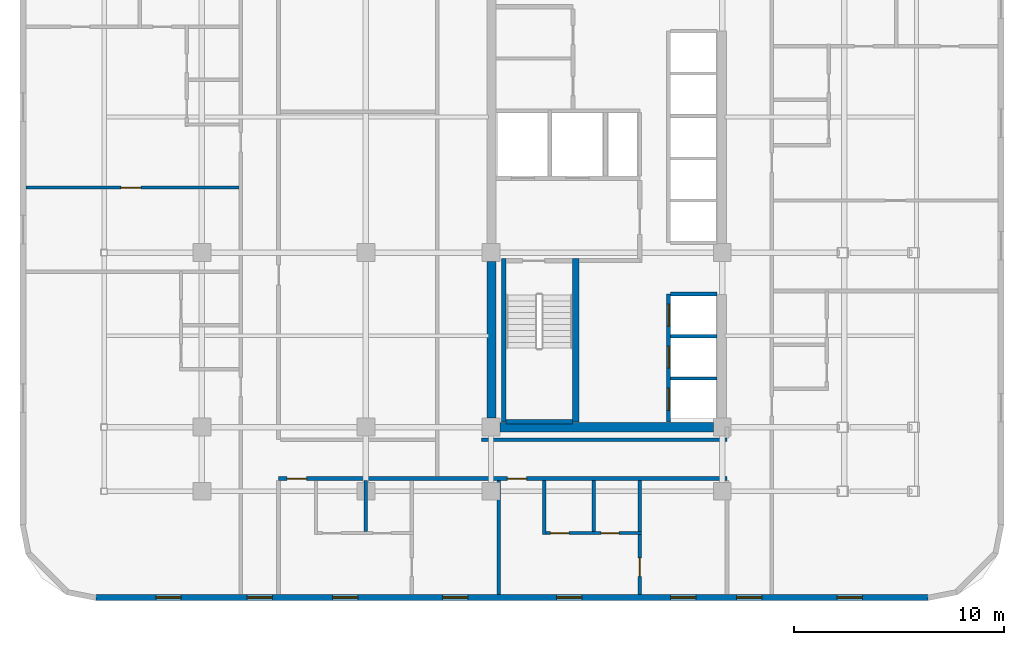
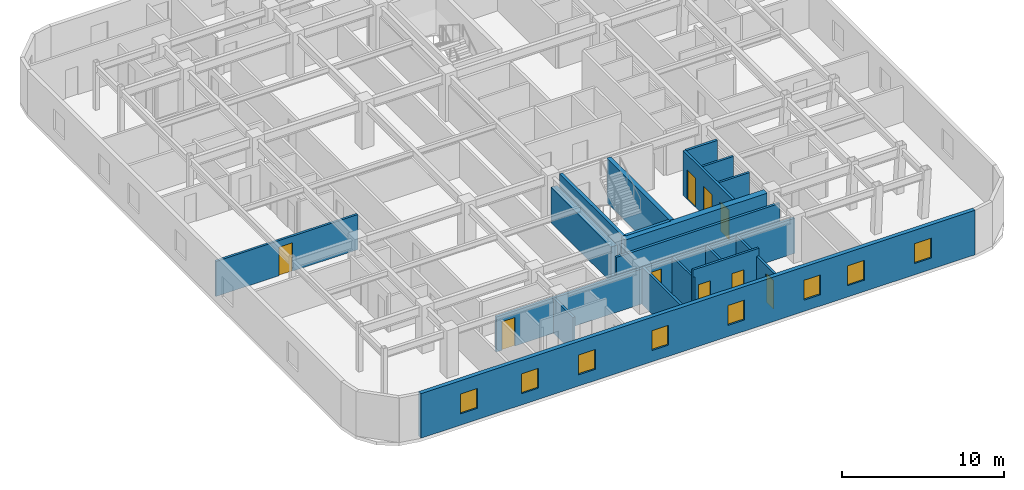
# One storey, part 6 of 12: 19 walls, 9 doors, 8 windows, 17 openings.
"""IFC4 building model written with IfcOpenShell, lengths in metres."""

from ifc_helpers import new_model, si_unit, direction, frame, frame_2d, origin, place, context, subcontext, project, spatial, rectangle, extrude, material, layer, layer_set, type_object, element, fill, save


model = new_model("IFC4")

# Units and contexts
model_context = context("Model", 3, precision=1e-05, world=origin(), true_north=direction((0.0, 1.0)))
body_context = subcontext(model_context, "Body", "Model", "MODEL_VIEW")
ifc_project = project(units=[si_unit("LENGTHUNIT", "METRE"), si_unit("AREAUNIT", "SQUARE_METRE"), si_unit("VOLUMEUNIT", "CUBIC_METRE"), si_unit("PLANEANGLEUNIT", "RADIAN"), si_unit("MASSUNIT", "GRAM", prefix="KILO")], contexts=[model_context])

# Site, building, storey
site_placement = place(None, origin())
site = spatial("IfcSite", under=ifc_project, at=site_placement, CompositionType="ELEMENT")
building_placement = place(site_placement, origin())
building = spatial("IfcBuilding", under=site, at=building_placement, Name="Ochreholt Gables", CompositionType="ELEMENT")
storey_placement = place(building_placement, frame((0.0, 0.0, 27.60009765625)))
storey = spatial("IfcBuildingStorey", under=building, at=storey_placement, Name="L06", CompositionType="ELEMENT", Elevation=27.60009765625)

# Walls
ifc_material_1 = material(Name="Concrete 60 MPa", Category="concrete")
ifc_layer_1 = layer(ifc_material_1, 0.449951171875, Name="Concrete 60 MPa")
ifc_layer_set_1 = layer_set([ifc_layer_1], Name="Concrete 60 MPa")
wall_type_1 = type_object("IfcWallType", Name="WALL-CSW-450", PredefinedType="SHEAR", material=ifc_layer_set_1)
wall_1_placement = place(storey_placement, frame((24.22509765625, 9.675048828125, 0.0), z_axis=(0.0, 0.0, 1.0), x_axis=(0.0, 1.0, 0.0)))
element("IfcWall", 1, at=wall_1_placement, inside=storey, type_object=wall_type_1, Name="L06 Core West Shear Wall WS", PredefinedType="SHEAR", context=body_context, shape_type="SweptSolid", body=[
    extrude(rectangle(XDim=7.449951171875, YDim=0.449951171875, at=frame_2d((3.72509765625, 0.0))), origin(), (0.0, 0.0, 1.0), 2.6669921875),
])
wall_2_placement = place(storey_placement, frame((24.625, 9.25, 0.0), z_axis=(0.0, 0.0, 1.0), x_axis=(1.0, 0.0, 0.0)))
element("IfcWall", 2, at=wall_2_placement, inside=storey, type_object=wall_type_1, Name="L06 Core South Shear Wall", PredefinedType="SHEAR", context=body_context, shape_type="SweptSolid", body=[
    extrude(rectangle(XDim=10.14990234375, YDim=0.449951171875, at=frame_2d((5.074951171875, 0.0))), origin(), (0.0, 0.0, 1.0), 3.35986328125),
])

# Wall, openings, windows
ifc_material_2 = material(Name="Precast concrete 40 MPa", Category="concrete")
ifc_layer_2 = layer(ifc_material_2, 0.2900390625, Name="Precast concrete 40 MPa")
ifc_layer_set_2 = layer_set([ifc_layer_2], Name="Precast concrete 40 MPa")
wall_type_2 = type_object("IfcWallType", Name="WALL-EXT-290", PredefinedType="SOLIDWALL", material=ifc_layer_set_2)
wall_3_placement = place(storey_placement, frame((5.419921875, 1.14501953125, 0.0), z_axis=(0.0, 0.0, 1.0), x_axis=(1.0, 0.0, 0.0)))
wall_3 = element("IfcWall", 3, at=wall_3_placement, inside=storey, type_object=wall_type_2, Name="L06 South Exterior Wall", PredefinedType="SOLIDWALL", context=body_context, shape_type="SweptSolid", body=[
    extrude(rectangle(XDim=39.56005859375, YDim=0.2900390625, at=frame_2d((19.780029296875, 0.0))), origin(), (0.0, 0.0, 1.0), 3.35986328125),
])
opening_1_placement = place(wall_3_placement, frame((2.840087890625, 0.0, 0.85009765625)))
opening_1 = element("IfcOpeningElement", 4, at=opening_1_placement, cuts=wall_3, Name="Opening WN-3", PredefinedType="OPENING", context=body_context, shape_type="SweptSolid", body=[
    extrude(rectangle(XDim=1.199951171875, YDim=1.5, at=frame_2d((0.60009765625, 0.75))), frame((0.0, 0.155029296875, 0.0), z_axis=(0.0, -1.0, 0.0), x_axis=(1.0, 0.0, 0.0)), (0.0, 0.0, 1.0), 0.31005859375),
])
opening_2_placement = place(wall_3_placement, frame((7.179931640625, 0.0, 0.85009765625)))
opening_2 = element("IfcOpeningElement", 5, at=opening_2_placement, cuts=wall_3, Name="Opening WN-3", PredefinedType="OPENING", context=body_context, shape_type="SweptSolid", body=[
    extrude(rectangle(XDim=1.199951171875, YDim=1.5, at=frame_2d((0.60009765625, 0.75))), frame((0.0, 0.155029296875, 0.0), z_axis=(0.0, -1.0, 0.0), x_axis=(1.0, 0.0, 0.0)), (0.0, 0.0, 1.0), 0.31005859375),
])
opening_3_placement = place(wall_3_placement, frame((11.2451171875, 0.0, 0.85009765625)))
opening_3 = element("IfcOpeningElement", 6, at=opening_3_placement, cuts=wall_3, Name="Opening WN-3", PredefinedType="OPENING", context=body_context, shape_type="SweptSolid", body=[
    extrude(rectangle(XDim=1.199951171875, YDim=1.5, at=frame_2d((0.60009765625, 0.75))), frame((0.0, 0.155029296875, 0.0), z_axis=(0.0, -1.0, 0.0), x_axis=(1.0, 0.0, 0.0)), (0.0, 0.0, 1.0), 0.31005859375),
])
opening_4_placement = place(wall_3_placement, frame((16.48046875, 0.0, 0.85009765625)))
opening_4 = element("IfcOpeningElement", 7, at=opening_4_placement, cuts=wall_3, Name="Opening WN-3", PredefinedType="OPENING", context=body_context, shape_type="SweptSolid", body=[
    extrude(rectangle(XDim=1.199951171875, YDim=1.5, at=frame_2d((0.60009765625, 0.75))), frame((0.0, 0.155029296875, 0.0), z_axis=(0.0, -1.0, 0.0), x_axis=(1.0, 0.0, 0.0)), (0.0, 0.0, 1.0), 0.31005859375),
])
opening_5_placement = place(wall_3_placement, frame((21.9052734375, 0.0, 0.85009765625)))
opening_5 = element("IfcOpeningElement", 8, at=opening_5_placement, cuts=wall_3, Name="Opening WN-3", PredefinedType="OPENING", context=body_context, shape_type="SweptSolid", body=[
    extrude(rectangle(XDim=1.199951171875, YDim=1.5, at=frame_2d((0.60009765625, 0.75))), frame((0.0, 0.155029296875, 0.0), z_axis=(0.0, -1.0, 0.0), x_axis=(1.0, 0.0, 0.0)), (0.0, 0.0, 1.0), 0.31005859375),
])
opening_6_placement = place(wall_3_placement, frame((27.330078125, 0.0, 0.85009765625)))
opening_6 = element("IfcOpeningElement", 9, at=opening_6_placement, cuts=wall_3, Name="Opening WN-3", PredefinedType="OPENING", context=body_context, shape_type="SweptSolid", body=[
    extrude(rectangle(XDim=1.199951171875, YDim=1.5, at=frame_2d((0.60009765625, 0.75))), frame((0.0, 0.155029296875, 0.0), z_axis=(0.0, -1.0, 0.0), x_axis=(1.0, 0.0, 0.0)), (0.0, 0.0, 1.0), 0.31005859375),
])
opening_7_placement = place(wall_3_placement, frame((30.465087890625, 0.0, 0.85009765625)))
opening_7 = element("IfcOpeningElement", 10, at=opening_7_placement, cuts=wall_3, Name="Opening WN-3", PredefinedType="OPENING", context=body_context, shape_type="SweptSolid", body=[
    extrude(rectangle(XDim=1.199951171875, YDim=1.5, at=frame_2d((0.60009765625, 0.75))), frame((0.0, 0.155029296875, 0.0), z_axis=(0.0, -1.0, 0.0), x_axis=(1.0, 0.0, 0.0)), (0.0, 0.0, 1.0), 0.31005859375),
])
opening_8_placement = place(wall_3_placement, frame((35.2451171875, 0.0, 0.85009765625)))
opening_8 = element("IfcOpeningElement", 11, at=opening_8_placement, cuts=wall_3, Name="Opening WN-3", PredefinedType="OPENING", context=body_context, shape_type="SweptSolid", body=[
    extrude(rectangle(XDim=1.199951171875, YDim=1.5, at=frame_2d((0.60009765625, 0.75))), frame((0.0, 0.155029296875, 0.0), z_axis=(0.0, -1.0, 0.0), x_axis=(1.0, 0.0, 0.0)), (0.0, 0.0, 1.0), 0.31005859375),
])
ifc_material_3 = material(Name="Triple-Glazed Thermally Broken Aluminium Window", Category="aluminium")
window_type = type_object("IfcWindowType", Name="WIN-RES-1200", PartitioningType="SINGLE_PANEL", PredefinedType="WINDOW", material=ifc_material_3)
window_1_placement = place(opening_1_placement, origin())
window_1 = element("IfcWindow", 12, at=window_1_placement, inside=storey, type_object=window_type, Name="L06 Window W-EXT-S-L06-1", OverallHeight=1.5, OverallWidth=1.199951171875, PartitioningType="SINGLE_PANEL", PredefinedType="WINDOW", context=body_context, shape_type="SweptSolid", body=[
    extrude(rectangle(XDim=1.199951171875, YDim=1.5, at=frame_2d((0.60009765625, 0.75))), frame((0.0, 0.030029296875, 0.0), z_axis=(0.0, -1.0, 0.0), x_axis=(1.0, 0.0, 0.0)), (0.0, 0.0, 1.0), 0.06005859375),
])
fill(opening_1, window_1)
window_2_placement = place(opening_2_placement, origin())
window_2 = element("IfcWindow", 13, at=window_2_placement, inside=storey, type_object=window_type, Name="L06 Window W-EXT-S-L06-2", OverallHeight=1.5, OverallWidth=1.199951171875, PartitioningType="SINGLE_PANEL", PredefinedType="WINDOW", context=body_context, shape_type="SweptSolid", body=[
    extrude(rectangle(XDim=1.199951171875, YDim=1.5, at=frame_2d((0.60009765625, 0.75))), frame((0.0, 0.030029296875, 0.0), z_axis=(0.0, -1.0, 0.0), x_axis=(1.0, 0.0, 0.0)), (0.0, 0.0, 1.0), 0.06005859375),
])
fill(opening_2, window_2)
window_3_placement = place(opening_3_placement, origin())
window_3 = element("IfcWindow", 14, at=window_3_placement, inside=storey, type_object=window_type, Name="L06 Window W-EXT-S-L06-3", OverallHeight=1.5, OverallWidth=1.199951171875, PartitioningType="SINGLE_PANEL", PredefinedType="WINDOW", context=body_context, shape_type="SweptSolid", body=[
    extrude(rectangle(XDim=1.199951171875, YDim=1.5, at=frame_2d((0.60009765625, 0.75))), frame((0.0, 0.030029296875, 0.0), z_axis=(0.0, -1.0, 0.0), x_axis=(1.0, 0.0, 0.0)), (0.0, 0.0, 1.0), 0.06005859375),
])
fill(opening_3, window_3)
window_4_placement = place(opening_4_placement, origin())
window_4 = element("IfcWindow", 15, at=window_4_placement, inside=storey, type_object=window_type, Name="L06 Window W-EXT-S-L06-4", OverallHeight=1.5, OverallWidth=1.199951171875, PartitioningType="SINGLE_PANEL", PredefinedType="WINDOW", context=body_context, shape_type="SweptSolid", body=[
    extrude(rectangle(XDim=1.199951171875, YDim=1.5, at=frame_2d((0.60009765625, 0.75))), frame((0.0, 0.030029296875, 0.0), z_axis=(0.0, -1.0, 0.0), x_axis=(1.0, 0.0, 0.0)), (0.0, 0.0, 1.0), 0.06005859375),
])
fill(opening_4, window_4)
window_5_placement = place(opening_5_placement, origin())
window_5 = element("IfcWindow", 16, at=window_5_placement, inside=storey, type_object=window_type, Name="L06 Window W-EXT-S-L06-5", OverallHeight=1.5, OverallWidth=1.199951171875, PartitioningType="SINGLE_PANEL", PredefinedType="WINDOW", context=body_context, shape_type="SweptSolid", body=[
    extrude(rectangle(XDim=1.199951171875, YDim=1.5, at=frame_2d((0.60009765625, 0.75))), frame((0.0, 0.030029296875, 0.0), z_axis=(0.0, -1.0, 0.0), x_axis=(1.0, 0.0, 0.0)), (0.0, 0.0, 1.0), 0.06005859375),
])
fill(opening_5, window_5)
window_6_placement = place(opening_6_placement, origin())
window_6 = element("IfcWindow", 17, at=window_6_placement, inside=storey, type_object=window_type, Name="L06 Window W-EXT-S-L06-6", OverallHeight=1.5, OverallWidth=1.199951171875, PartitioningType="SINGLE_PANEL", PredefinedType="WINDOW", context=body_context, shape_type="SweptSolid", body=[
    extrude(rectangle(XDim=1.199951171875, YDim=1.5, at=frame_2d((0.60009765625, 0.75))), frame((0.0, 0.030029296875, 0.0), z_axis=(0.0, -1.0, 0.0), x_axis=(1.0, 0.0, 0.0)), (0.0, 0.0, 1.0), 0.06005859375),
])
fill(opening_6, window_6)
window_7_placement = place(opening_7_placement, origin())
window_7 = element("IfcWindow", 18, at=window_7_placement, inside=storey, type_object=window_type, Name="L06 Window W-EXT-S-L06-7", OverallHeight=1.5, OverallWidth=1.199951171875, PartitioningType="SINGLE_PANEL", PredefinedType="WINDOW", context=body_context, shape_type="SweptSolid", body=[
    extrude(rectangle(XDim=1.199951171875, YDim=1.5, at=frame_2d((0.60009765625, 0.75))), frame((0.0, 0.030029296875, 0.0), z_axis=(0.0, -1.0, 0.0), x_axis=(1.0, 0.0, 0.0)), (0.0, 0.0, 1.0), 0.06005859375),
])
fill(opening_7, window_7)
window_8_placement = place(opening_8_placement, origin())
window_8 = element("IfcWindow", 19, at=window_8_placement, inside=storey, type_object=window_type, Name="L06 Window W-EXT-S-L06-8", OverallHeight=1.5, OverallWidth=1.199951171875, PartitioningType="SINGLE_PANEL", PredefinedType="WINDOW", context=body_context, shape_type="SweptSolid", body=[
    extrude(rectangle(XDim=1.199951171875, YDim=1.5, at=frame_2d((0.60009765625, 0.75))), frame((0.0, 0.030029296875, 0.0), z_axis=(0.0, -1.0, 0.0), x_axis=(1.0, 0.0, 0.0)), (0.0, 0.0, 1.0), 0.06005859375),
])
fill(opening_8, window_8)

# Wall, openings, doors
ifc_material_4 = material(Name="Fire-Rated Gypsum Acoustic Partition", Category="gypsum")
ifc_layer_3 = layer(ifc_material_4, 0.179931640625, Name="Fire-Rated Gypsum Acoustic Partition")
ifc_layer_set_3 = layer_set([ifc_layer_3], Name="Fire-Rated Gypsum Acoustic Partition")
wall_type_3 = type_object("IfcWallType", Name="WALL-INT-CR180", PredefinedType="STANDARD", material=ifc_layer_set_3)
wall_4_placement = place(storey_placement, frame((14.10009765625, 6.800048828125, 0.0), z_axis=(0.0, 0.0, 1.0), x_axis=(1.0, 0.0, 0.0)))
wall_4 = element("IfcWall", 20, at=wall_4_placement, inside=storey, type_object=wall_type_3, Name="L06 Interior Wall WI-C1S-L06", PredefinedType="STANDARD", context=body_context, shape_type="SweptSolid", body=[
    extrude(rectangle(XDim=21.31982421875, YDim=0.179931640625, at=frame_2d((10.659912109375, 0.0))), origin(), (0.0, 0.0, 1.0), 2.64892578125),
])
opening_9_placement = place(wall_4_placement, frame((0.409912109375, 0.0, 0.0)))
opening_9 = element("IfcOpeningElement", 21, at=opening_9_placement, cuts=wall_4, Name="Opening D-UN1", PredefinedType="OPENING", context=body_context, shape_type="SweptSolid", body=[
    extrude(rectangle(XDim=0.919921875, YDim=2.14990234375, at=frame_2d((0.4599609375, 1.074951171875))), frame((0.0, 0.099853515625, 0.0), z_axis=(0.0, -1.0, 0.0), x_axis=(1.0, 0.0, 0.0)), (0.0, 0.0, 1.0), 0.199951171875),
])
opening_10_placement = place(wall_4_placement, frame((10.88037109375, 0.0, 0.0)))
opening_10 = element("IfcOpeningElement", 22, at=opening_10_placement, cuts=wall_4, Name="Opening D-UN1", PredefinedType="OPENING", context=body_context, shape_type="SweptSolid", body=[
    extrude(rectangle(XDim=0.919921875, YDim=2.14990234375, at=frame_2d((0.4599609375, 1.074951171875))), frame((0.0, 0.099853515625, 0.0), z_axis=(0.0, -1.0, 0.0), x_axis=(1.0, 0.0, 0.0)), (0.0, 0.0, 1.0), 0.199951171875),
])
ifc_material_5 = material(Name="Engineered Oak Timber", Category="wood")
door_type_1 = type_object("IfcDoorType", Name="DR-INT-UNT920", OperationType="NOTDEFINED", PredefinedType="DOOR", material=ifc_material_5)
door_1_placement = place(opening_9_placement, origin())
door_1 = element("IfcDoor", 23, at=door_1_placement, inside=storey, type_object=door_type_1, Name="L06 Door D-U-L06S1-ENT", OperationType="SINGLE_SWING_LEFT", OverallHeight=2.14990234375, OverallWidth=0.919921875, PredefinedType="DOOR", context=body_context, shape_type="SweptSolid", body=[
    extrude(rectangle(XDim=0.919921875, YDim=2.14990234375, at=frame_2d((0.4599609375, 1.074951171875))), frame((0.0, 0.02490234375, 0.0), z_axis=(0.0, -1.0, 0.0), x_axis=(1.0, 0.0, 0.0)), (0.0, 0.0, 1.0), 0.050048828125),
])
fill(opening_9, door_1)
door_2_placement = place(opening_10_placement, origin())
door_2 = element("IfcDoor", 24, at=door_2_placement, inside=storey, type_object=door_type_1, Name="L06 Door D-U-L06S2-ENT", OperationType="SINGLE_SWING_LEFT", OverallHeight=2.14990234375, OverallWidth=0.919921875, PredefinedType="DOOR", context=body_context, shape_type="SweptSolid", body=[
    extrude(rectangle(XDim=0.919921875, YDim=2.14990234375, at=frame_2d((0.4599609375, 1.074951171875))), frame((0.0, 0.02490234375, 0.0), z_axis=(0.0, -1.0, 0.0), x_axis=(1.0, 0.0, 0.0)), (0.0, 0.0, 1.0), 0.050048828125),
])
fill(opening_10, door_2)

# Walls
wall_5_placement = place(storey_placement, frame((23.75, 8.64990234375, 0.0), z_axis=(0.0, 0.0, 1.0), x_axis=(1.0, 0.0, 0.0)))
element("IfcWall", 25, at=wall_5_placement, inside=storey, type_object=wall_type_3, Name="L06 Interior Wall WI-C1S2-L06", PredefinedType="STANDARD", context=body_context, shape_type="SweptSolid", body=[
    extrude(rectangle(XDim=11.669921875, YDim=0.179931640625, at=frame_2d((5.8349609375, 0.0))), origin(), (0.0, 0.0, 1.0), 2.64892578125),
])
ifc_material_6 = material(Name="Double-Stud Acoustic Demising Wall", Category="gypsum")
ifc_layer_4 = layer(ifc_material_6, 0.179931640625, Name="Double-Stud Acoustic Demising Wall")
ifc_layer_set_4 = layer_set([ifc_layer_4], Name="Double-Stud Acoustic Demising Wall")
wall_type_4 = type_object("IfcWallType", Name="WALL-INT-DM180", PredefinedType="PARTITIONING", material=ifc_layer_set_4)
wall_6_placement = place(storey_placement, frame((24.5703125, 1.2900390625, 0.0), z_axis=(0.0, 0.0, 1.0), x_axis=(0.0, 1.0, 0.0)))
element("IfcWall", 26, at=wall_6_placement, inside=storey, type_object=wall_type_4, Name="L06 Interior Wall WI-UDS-L06", PredefinedType="PARTITIONING", context=body_context, shape_type="SweptSolid", body=[
    extrude(rectangle(XDim=5.419921875, YDim=0.179931640625, at=frame_2d((2.7099609375, 0.0))), origin(), (0.0, 0.0, 1.0), 2.808837890625),
])
ifc_material_7 = material(Name="Moisture-Resistant Plumbing Chase Wall", Category="gypsum")
ifc_layer_5 = layer(ifc_material_7, 0.159912109375, Name="Moisture-Resistant Plumbing Chase Wall")
ifc_layer_set_5 = layer_set([ifc_layer_5], Name="Moisture-Resistant Plumbing Chase Wall")
wall_type_5 = type_object("IfcWallType", Name="WALL-INT-PL160", PredefinedType="PLUMBINGWALL", material=ifc_layer_set_5)
wall_7_placement = place(storey_placement, frame((18.246337890625, 4.29248046875, 0.0), z_axis=(0.0, 0.0, 1.0), x_axis=(0.0, 1.0, 0.0)))
element("IfcWall", 27, at=wall_7_placement, inside=storey, type_object=wall_type_5, Name="L06 Interior Wall WU-L06S1-WK", PredefinedType="PLUMBINGWALL", context=body_context, shape_type="SweptSolid", body=[
    extrude(rectangle(XDim=2.41748046875, YDim=0.159912109375, at=frame_2d((1.208740234375, 0.0))), origin(), (0.0, 0.0, 1.0), 2.64892578125),
])

# Wall, openings, doors
wall_8_placement = place(storey_placement, frame((26.64990234375, 4.21240234375, 0.0), z_axis=(0.0, 0.0, 1.0), x_axis=(1.0, 0.0, 0.0)))
wall_8 = element("IfcWall", 28, at=wall_8_placement, inside=storey, type_object=wall_type_5, Name="L06 Interior Wall WU-L06S2-WY", PredefinedType="PLUMBINGWALL", context=body_context, shape_type="SweptSolid", body=[
    extrude(rectangle(XDim=4.710205078125, YDim=0.159912109375, at=frame_2d((2.35498046875, 0.0))), origin(), (0.0, 0.0, 1.0), 3.35986328125),
])
opening_11_placement = place(wall_8_placement, frame((0.3798828125, 0.0, 0.0)))
opening_11 = element("IfcOpeningElement", 29, at=opening_11_placement, cuts=wall_8, Name="Opening D-GN2", PredefinedType="OPENING", context=body_context, shape_type="SweptSolid", body=[
    extrude(rectangle(XDim=0.8798828125, YDim=2.1201171875, at=frame_2d((0.43994140625, 1.06005859375))), frame((0.0, 0.08984375, 0.0), z_axis=(0.0, -1.0, 0.0), x_axis=(1.0, 0.0, 0.0)), (0.0, 0.0, 1.0), 0.179931640625),
])
opening_12_placement = place(wall_8_placement, frame((2.785888671875, 0.0, 0.0)))
opening_12 = element("IfcOpeningElement", 30, at=opening_12_placement, cuts=wall_8, Name="Opening D-BT1", PredefinedType="OPENING", context=body_context, shape_type="SweptSolid", body=[
    extrude(rectangle(XDim=0.860107421875, YDim=2.1201171875, at=frame_2d((0.43017578125, 1.06005859375))), frame((0.0, 0.08984375, 0.0), z_axis=(0.0, -1.0, 0.0), x_axis=(1.0, 0.0, 0.0)), (0.0, 0.0, 1.0), 0.179931640625),
])
door_type_2 = type_object("IfcDoorType", Name="DR-INT-BTH860", OperationType="NOTDEFINED", PredefinedType="DOOR", material=ifc_material_5)
door_3_placement = place(opening_12_placement, origin())
door_3 = element("IfcDoor", 31, at=door_3_placement, inside=storey, type_object=door_type_2, Name="L06 Door D-U-L06S2-BTH", OperationType="SINGLE_SWING_LEFT", OverallHeight=2.1201171875, OverallWidth=0.860107421875, PredefinedType="DOOR", context=body_context, shape_type="SweptSolid", body=[
    extrude(rectangle(XDim=0.860107421875, YDim=2.1201171875, at=frame_2d((0.43017578125, 1.06005859375))), frame((0.0, 0.02490234375, 0.0), z_axis=(0.0, -1.0, 0.0), x_axis=(1.0, 0.0, 0.0)), (0.0, 0.0, 1.0), 0.050048828125),
])
fill(opening_12, door_3)
door_type_3 = type_object("IfcDoorType", Name="DR-INT-GEN880", OperationType="NOTDEFINED", PredefinedType="DOOR", material=ifc_material_5)
door_4_placement = place(opening_11_placement, origin())
door_4 = element("IfcDoor", 32, at=door_4_placement, inside=storey, type_object=door_type_3, Name="L06 Door D-U-L06S2-KIT", OperationType="SINGLE_SWING_RIGHT", OverallHeight=2.1201171875, OverallWidth=0.8798828125, PredefinedType="DOOR", context=body_context, shape_type="SweptSolid", body=[
    extrude(rectangle(XDim=0.8798828125, YDim=2.1201171875, at=frame_2d((0.43994140625, 1.06005859375))), frame((0.0, 0.02490234375, 0.0), z_axis=(0.0, -1.0, 0.0), x_axis=(1.0, 0.0, 0.0)), (0.0, 0.0, 1.0), 0.050048828125),
])
fill(opening_11, door_4)

# Walls
wall_9_placement = place(storey_placement, frame((26.72998046875, 4.132568359375, 0.0), z_axis=(0.0, 0.0, 1.0), x_axis=(0.0, 1.0, 0.0)))
element("IfcWall", 33, at=wall_9_placement, inside=storey, type_object=wall_type_5, Name="L06 Interior Wall WU-L06S2-FY", PredefinedType="PLUMBINGWALL", context=body_context, shape_type="SweptSolid", body=[
    extrude(rectangle(XDim=2.577392578125, YDim=0.159912109375, at=frame_2d((1.28857421875, 0.0))), origin(), (0.0, 0.0, 1.0), 2.808837890625),
])
wall_10_placement = place(storey_placement, frame((29.095947265625, 4.29248046875, 0.0), z_axis=(0.0, 0.0, 1.0), x_axis=(0.0, 1.0, 0.0)))
element("IfcWall", 34, at=wall_10_placement, inside=storey, type_object=wall_type_5, Name="L06 Interior Wall WU-L06S2-WK", PredefinedType="PLUMBINGWALL", context=body_context, shape_type="SweptSolid", body=[
    extrude(rectangle(XDim=2.41748046875, YDim=0.159912109375, at=frame_2d((1.208740234375, 0.0))), origin(), (0.0, 0.0, 1.0), 2.808837890625),
])

# Wall, opening, door
ifc_material_8 = material(Name="Gypsum Acoustic Stud Partition", Category="gypsum")
ifc_layer_6 = layer(ifc_material_8, 0.159912109375, Name="Gypsum Acoustic Stud Partition")
ifc_layer_set_6 = layer_set([ifc_layer_6], Name="Gypsum Acoustic Stud Partition")
wall_type_6 = type_object("IfcWallType", Name="WALL-INT-PT160", PredefinedType="PARTITIONING", material=ifc_layer_set_6)
wall_11_placement = place(storey_placement, frame((2.090087890625, 20.643310546875, 0.0), z_axis=(0.0, 0.0, 1.0), x_axis=(1.0, 0.0, 0.0)))
wall_11 = element("IfcWall", 35, at=wall_11_placement, inside=storey, type_object=wall_type_6, Name="L06 Interior Wall WU-L06W2-DNW", PredefinedType="PARTITIONING", context=body_context, shape_type="SweptSolid", body=[
    extrude(rectangle(XDim=10.119873046875, YDim=0.159912109375, at=frame_2d((5.06005859375, 0.0))), origin(), (0.0, 0.0, 1.0), 2.64892578125),
])
opening_13_placement = place(wall_11_placement, frame((4.510009765625, 0.0, 0.0)))
opening_13 = element("IfcOpeningElement", 36, at=opening_13_placement, cuts=wall_11, Name="Opening D-GN1", PredefinedType="OPENING", context=body_context, shape_type="SweptSolid", body=[
    extrude(rectangle(XDim=0.949951171875, YDim=2.14990234375, at=frame_2d((0.47509765625, 1.074951171875))), frame((0.0, 0.08984375, 0.0), z_axis=(0.0, -1.0, 0.0), x_axis=(1.0, 0.0, 0.0)), (0.0, 0.0, 1.0), 0.179931640625),
])
door_type_4 = type_object("IfcDoorType", Name="DR-INT-GEN950", OperationType="NOTDEFINED", PredefinedType="DOOR", material=ifc_material_5)
door_5_placement = place(opening_13_placement, origin())
door_5 = element("IfcDoor", 37, at=door_5_placement, inside=storey, type_object=door_type_4, Name="L06 Door D-U-L06W2-DIN", OperationType="SINGLE_SWING_LEFT", OverallHeight=2.14990234375, OverallWidth=0.949951171875, PredefinedType="DOOR", context=body_context, shape_type="SweptSolid", body=[
    extrude(rectangle(XDim=0.949951171875, YDim=2.14990234375, at=frame_2d((0.47509765625, 1.074951171875))), frame((0.0, 0.02490234375, 0.0), z_axis=(0.0, -1.0, 0.0), x_axis=(1.0, 0.0, 0.0)), (0.0, 0.0, 1.0), 0.050048828125),
])
fill(opening_13, door_5)

wall_12_placement = place(storey_placement, frame((31.280029296875, 1.2900390625, 0.0), z_axis=(0.0, 0.0, 1.0), x_axis=(0.0, 1.0, 0.0)))
wall_12 = element("IfcWall", 38, at=wall_12_placement, inside=storey, type_object=wall_type_6, Name="L06 Interior Wall WU-L06S2-MNX", PredefinedType="PARTITIONING", context=body_context, shape_type="SweptSolid", body=[
    extrude(rectangle(XDim=5.419921875, YDim=0.159912109375, at=frame_2d((2.7099609375, 0.0))), origin(), (0.0, 0.0, 1.0), 2.808837890625),
])
opening_14_placement = place(wall_12_placement, frame((0.861328125, 0.0, 0.0)))
opening_14 = element("IfcOpeningElement", 39, at=opening_14_placement, cuts=wall_12, Name="Opening D-BD2", PredefinedType="OPENING", context=body_context, shape_type="SweptSolid", body=[
    extrude(rectangle(XDim=0.8798828125, YDim=2.139892578125, at=frame_2d((0.43994140625, 1.06982421875))), frame((0.0, 0.08984375, 0.0), z_axis=(0.0, -1.0, 0.0), x_axis=(1.0, 0.0, 0.0)), (0.0, 0.0, 1.0), 0.179931640625),
])
door_type_5 = type_object("IfcDoorType", Name="DR-INT-BED880", OperationType="NOTDEFINED", PredefinedType="DOOR", material=ifc_material_5)
door_6_placement = place(opening_14_placement, origin())
door_6 = element("IfcDoor", 40, at=door_6_placement, inside=storey, type_object=door_type_5, Name="L06 Door D-U-L06S2-BD1", OperationType="SINGLE_SWING_RIGHT", OverallHeight=2.139892578125, OverallWidth=0.8798828125, PredefinedType="DOOR", context=body_context, shape_type="SweptSolid", body=[
    extrude(rectangle(XDim=0.8798828125, YDim=2.139892578125, at=frame_2d((0.43994140625, 1.06982421875))), frame((0.0, 0.02490234375, 0.0), z_axis=(0.0, -1.0, 0.0), x_axis=(1.0, 0.0, 0.0)), (0.0, 0.0, 1.0), 0.050048828125),
])
fill(opening_14, door_6)

# Walls
ifc_material_9 = material(Name="Gypsum Shaftliner and Steel Stud", Category="steel")
ifc_layer_7 = layer(ifc_material_9, 0.14990234375, Name="Gypsum Shaftliner and Steel Stud")
ifc_layer_set_7 = layer_set([ifc_layer_7], Name="Gypsum Shaftliner and Steel Stud")
wall_type_7 = type_object("IfcWallType", Name="WALL-INT-SH150", PredefinedType="STANDARD", material=ifc_layer_set_7)
for number, where, z_axis, x_axis, name in (
    (41, (32.739990234375, 11.570068359375, 0.0), (0.0, 0.0, 1.0), (1.0, 0.0, 0.0), "L06 Interior Wall WI-LFL-D1-L06"),
    (42, (32.739990234375, 13.570068359375, 0.0), (0.0, 0.0, 1.0), (1.0, 0.0, 0.0), "L06 Interior Wall WI-LFL-D2-L06"),
):
    element("IfcWall", number, at=place(storey_placement, frame(where, z_axis=z_axis, x_axis=x_axis)), inside=storey, type_object=wall_type_7, Name=name, PredefinedType="STANDARD", context=body_context, shape_type="SweptSolid", body=[
        extrude(rectangle(XDim=2.2099609375, YDim=0.14990234375, at=frame_2d((1.10498046875, 0.0))), origin(), (0.0, 0.0, 1.0), 3.35986328125),
    ])

# Wall, openings, doors
ifc_layer_8 = layer(ifc_material_9, 0.179931640625, Name="Gypsum Shaftliner and Steel Stud")
ifc_layer_set_8 = layer_set([ifc_layer_8], Name="Gypsum Shaftliner and Steel Stud")
wall_type_8 = type_object("IfcWallType", Name="WALL-INT-SH180", PredefinedType="STANDARD", material=ifc_layer_set_8)
wall_13_placement = place(storey_placement, frame((32.64990234375, 9.5, 0.0), z_axis=(0.0, 0.0, 1.0), x_axis=(0.0, 1.0, 0.0)))
wall_13 = element("IfcWall", 43, at=wall_13_placement, inside=storey, type_object=wall_type_8, Name="L06 Interior Wall WI-LFL-FR-L06", PredefinedType="STANDARD", context=body_context, shape_type="SweptSolid", body=[
    extrude(rectangle(XDim=6.080078125, YDim=0.179931640625, at=frame_2d((3.0400390625, 0.0))), origin(), (0.0, 0.0, 1.0), 3.35986328125),
])
opening_15_placement = place(wall_13_placement, frame((0.550048828125, 0.0, 0.0)))
opening_15 = element("IfcOpeningElement", 44, at=opening_15_placement, cuts=wall_13, Name="Opening LD-PX", PredefinedType="OPENING", context=body_context, shape_type="SweptSolid", body=[
    extrude(rectangle(XDim=1.050048828125, YDim=2.199951171875, at=frame_2d((0.52490234375, 1.10009765625))), frame((0.0, 0.099853515625, 0.0), z_axis=(0.0, -1.0, 0.0), x_axis=(1.0, 0.0, 0.0)), (0.0, 0.0, 1.0), 0.199951171875),
])
opening_16_placement = place(wall_13_placement, frame((2.550048828125, 0.0, 0.0)))
opening_16 = element("IfcOpeningElement", 45, at=opening_16_placement, cuts=wall_13, Name="Opening LD-PX", PredefinedType="OPENING", context=body_context, shape_type="SweptSolid", body=[
    extrude(rectangle(XDim=1.050048828125, YDim=2.199951171875, at=frame_2d((0.52490234375, 1.10009765625))), frame((0.0, 0.099853515625, 0.0), z_axis=(0.0, -1.0, 0.0), x_axis=(1.0, 0.0, 0.0)), (0.0, 0.0, 1.0), 0.199951171875),
])
opening_17_placement = place(wall_13_placement, frame((4.550048828125, 0.0, 0.0)))
opening_17 = element("IfcOpeningElement", 46, at=opening_17_placement, cuts=wall_13, Name="Opening LD-PX", PredefinedType="OPENING", context=body_context, shape_type="SweptSolid", body=[
    extrude(rectangle(XDim=1.050048828125, YDim=2.199951171875, at=frame_2d((0.52490234375, 1.10009765625))), frame((0.0, 0.099853515625, 0.0), z_axis=(0.0, -1.0, 0.0), x_axis=(1.0, 0.0, 0.0)), (0.0, 0.0, 1.0), 0.199951171875),
])
ifc_material_10 = material(Name="Stainless Steel", Category="steel")
door_type_6 = type_object("IfcDoorType", Name="DR-LFT-PX1050", OperationType="NOTDEFINED", PredefinedType="DOOR", material=ifc_material_10)
door_7_placement = place(opening_15_placement, origin())
door_7 = element("IfcDoor", 47, at=door_7_placement, inside=storey, type_object=door_type_6, Name="L06 Door LD-L1-L06", OperationType="SLIDING_TO_LEFT", OverallHeight=2.199951171875, OverallWidth=1.050048828125, PredefinedType="DOOR", context=body_context, shape_type="SweptSolid", body=[
    extrude(rectangle(XDim=1.050048828125, YDim=2.199951171875, at=frame_2d((0.52490234375, 1.10009765625))), frame((0.0, 0.02490234375, 0.0), z_axis=(0.0, -1.0, 0.0), x_axis=(1.0, 0.0, 0.0)), (0.0, 0.0, 1.0), 0.050048828125),
])
fill(opening_15, door_7)
door_8_placement = place(opening_16_placement, origin())
door_8 = element("IfcDoor", 48, at=door_8_placement, inside=storey, type_object=door_type_6, Name="L06 Door LD-L2-L06", OperationType="SLIDING_TO_LEFT", OverallHeight=2.199951171875, OverallWidth=1.050048828125, PredefinedType="DOOR", context=body_context, shape_type="SweptSolid", body=[
    extrude(rectangle(XDim=1.050048828125, YDim=2.199951171875, at=frame_2d((0.52490234375, 1.10009765625))), frame((0.0, 0.02490234375, 0.0), z_axis=(0.0, -1.0, 0.0), x_axis=(1.0, 0.0, 0.0)), (0.0, 0.0, 1.0), 0.050048828125),
])
fill(opening_16, door_8)
door_9_placement = place(opening_17_placement, origin())
door_9 = element("IfcDoor", 49, at=door_9_placement, inside=storey, type_object=door_type_6, Name="L06 Door LD-L3-L06", OperationType="SLIDING_TO_LEFT", OverallHeight=2.199951171875, OverallWidth=1.050048828125, PredefinedType="DOOR", context=body_context, shape_type="SweptSolid", body=[
    extrude(rectangle(XDim=1.050048828125, YDim=2.199951171875, at=frame_2d((0.52490234375, 1.10009765625))), frame((0.0, 0.02490234375, 0.0), z_axis=(0.0, -1.0, 0.0), x_axis=(1.0, 0.0, 0.0)), (0.0, 0.0, 1.0), 0.050048828125),
])
fill(opening_17, door_9)

# Walls
wall_14_placement = place(storey_placement, frame((32.739990234375, 15.580078125, 0.0), z_axis=(0.0, 0.0, 1.0), x_axis=(1.0, 0.0, 0.0)))
element("IfcWall", 50, at=wall_14_placement, inside=storey, type_object=wall_type_8, Name="L06 Interior Wall WI-LFL-N-L06", PredefinedType="STANDARD", context=body_context, shape_type="SweptSolid", body=[
    extrude(rectangle(XDim=2.2099609375, YDim=0.179931640625, at=frame_2d((1.10498046875, 0.0))), origin(), (0.0, 0.0, 1.0), 3.35986328125),
])
ifc_layer_9 = layer(ifc_material_1, 0.300048828125, Name="Concrete 60 MPa")
ifc_layer_set_9 = layer_set([ifc_layer_9], Name="Concrete 60 MPa")
wall_type_9 = type_object("IfcWallType", Name="WALL-SPN-300", PredefinedType="SHEAR", material=ifc_layer_set_9)
wall_15_placement = place(storey_placement, frame((28.22998046875, 9.5, 0.0), z_axis=(0.0, 0.0, 1.0), x_axis=(0.0, 1.0, 0.0)))
element("IfcWall", 51, at=wall_15_placement, inside=storey, type_object=wall_type_9, Name="L06 Core South Spine Shear Wall", PredefinedType="SHEAR", context=body_context, shape_type="SweptSolid", body=[
    extrude(rectangle(XDim=7.760009765625, YDim=0.300048828125, at=frame_2d((3.8798828125, 0.0))), origin(), (0.0, 0.0, 1.0), 3.35986328125),
])
ifc_material_11 = material(Name="Concrete 50 MPa", Category="concrete")
ifc_layer_10 = layer(ifc_material_11, 0.219970703125, Name="Concrete 50 MPa")
ifc_layer_set_10 = layer_set([ifc_layer_10], Name="Concrete 50 MPa")
wall_type_10 = type_object("IfcWallType", Name="WALL-STW-220", PredefinedType="SHEAR", material=ifc_layer_set_10)
wall_16_placement = place(storey_placement, frame((24.81005859375, 9.5, 0.0), z_axis=(0.0, 0.0, 1.0), x_axis=(0.0, 1.0, 0.0)))
element("IfcWall", 52, at=wall_16_placement, inside=storey, type_object=wall_type_10, Name="L06 Exit Stair 1 West Wall", PredefinedType="SHEAR", context=body_context, shape_type="SweptSolid", body=[
    extrude(rectangle(XDim=7.760009765625, YDim=0.219970703125, at=frame_2d((3.8798828125, 0.0))), origin(), (0.0, 0.0, 1.0), 3.35986328125),
])
wall_17_placement = place(storey_placement, frame((24.919921875, 9.510009765625, 0.0), z_axis=(0.0, 0.0, 1.0), x_axis=(1.0, 0.0, 0.0)))
element("IfcWall", 53, at=wall_17_placement, inside=storey, type_object=wall_type_10, Name="L06 Exit Stair 1 South Wall", PredefinedType="SHEAR", context=body_context, shape_type="SweptSolid", body=[
    extrude(rectangle(XDim=3.16015625, YDim=0.219970703125, at=frame_2d((1.580078125, 0.0))), origin(), (0.0, 0.0, 1.0), 3.35986328125),
])

save(model, "model.ifc")
